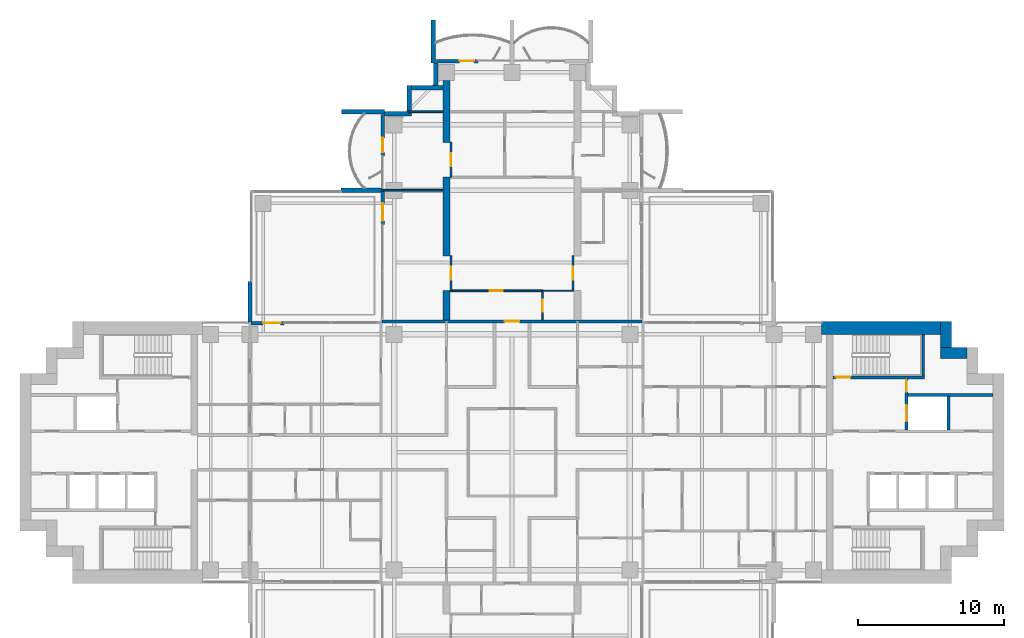
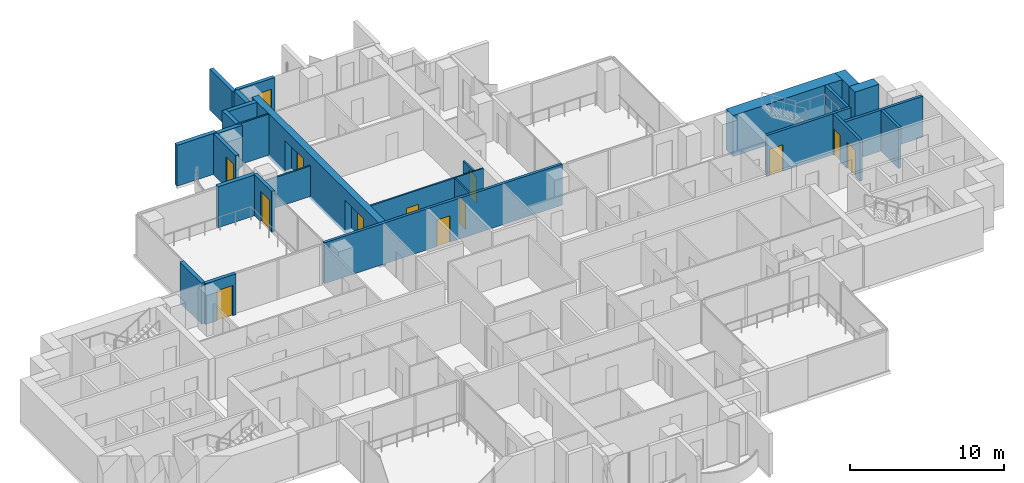
# One storey, part 13 of 19: 30 walls, 13 doors, 13 openings.
"""IFC4 building model written with IfcOpenShell, lengths in metres."""

from ifc_helpers import new_model, si_unit, direction, frame, frame_2d, origin, place, context, subcontext, project, spatial, polyline, rectangle, outline, extrude, material, layer, layer_set, material_profile, profile_set, type_object, element, fill, save


model = new_model("IFC4")

# Units and contexts
model_context = context("Model", 3, precision=1e-05, world=origin(), true_north=direction((0.0, 1.0)))
body_context = subcontext(model_context, "Body", "Model", "MODEL_VIEW")
ifc_project = project(units=[si_unit("LENGTHUNIT", "METRE"), si_unit("AREAUNIT", "SQUARE_METRE"), si_unit("VOLUMEUNIT", "CUBIC_METRE"), si_unit("PLANEANGLEUNIT", "RADIAN"), si_unit("MASSUNIT", "GRAM", prefix="KILO")], contexts=[model_context])

# Site, building, storey
site_placement = place(None, origin())
site = spatial("IfcSite", under=ifc_project, at=site_placement, CompositionType="ELEMENT")
building_placement = place(site_placement, origin())
building = spatial("IfcBuilding", under=site, at=building_placement, Name="Perihelion Cross Residences", CompositionType="ELEMENT")
storey_placement = place(building_placement, frame((0.0, 0.0, 112.89990234375)))
storey = spatial("IfcBuildingStorey", under=building, at=storey_placement, Name="L26", CompositionType="ELEMENT", Elevation=112.89990234375)

# Wall, opening, door
ifc_material_1 = material(Name="Plasterboard partition")
ifc_layer_1 = layer(ifc_material_1, 0.199951171875)
ifc_layer_set_1 = layer_set([ifc_layer_1], Name="Apartment separation wall 200")
wall_type_1 = type_object("IfcWallType", Name="Apartment separation wall 200", PredefinedType="PARTITIONING", material=ifc_layer_set_1)
wall_1_placement = place(storey_placement, frame((-8.919921875, 9.0, 0.0), z_axis=(0.0, 0.0, 1.0), x_axis=(1.0, 0.0, 0.0)))
wall_1 = element("IfcWall", 1, at=wall_1_placement, inside=storey, type_object=wall_type_1, Name="Partition L26 W021", PredefinedType="PARTITIONING", context=body_context, shape_type="SweptSolid", body=[
    extrude(rectangle(XDim=17.83984375, YDim=0.199951171875, at=frame_2d((8.919921875, 0.0))), origin(), (0.0, 0.0, 1.0), 3.25),
])
opening_1_placement = place(wall_1_placement, frame((8.419921875, 0.0, 0.0)))
opening_1 = element("IfcOpeningElement", 2, at=opening_1_placement, cuts=wall_1, Name="Opening L26.A35", PredefinedType="OPENING", context=body_context, shape_type="SweptSolid", body=[
    extrude(rectangle(XDim=1.0, YDim=2.10009765625, at=frame_2d((0.5, 1.050048828125))), frame((0.0, 0.10986328125, 0.0), z_axis=(0.0, -1.0, 0.0), x_axis=(1.0, 0.0, 0.0)), (0.0, 0.0, 1.0), 0.219970703125),
])
ifc_material_2 = material(Name="Timber door leaf", Category="wood")
door_type_1 = type_object("IfcDoorType", Name="Flat entrance door 1000 x 2100", OperationType="SINGLE_SWING_LEFT", PredefinedType="DOOR", material=ifc_material_2)
door_1_placement = place(opening_1_placement, origin())
door_1 = element("IfcDoor", 3, at=door_1_placement, inside=storey, type_object=door_type_1, Name="Door L26.A35", OperationType="SINGLE_SWING_LEFT", OverallHeight=2.10009765625, OverallWidth=1.0, PredefinedType="DOOR", context=body_context, shape_type="SweptSolid", body=[
    extrude(rectangle(XDim=1.0, YDim=2.10009765625, at=frame_2d((0.5, 1.050048828125))), frame((0.0, 0.02490234375, 0.0), z_axis=(0.0, -1.0, 0.0), x_axis=(1.0, 0.0, 0.0)), (0.0, 0.0, 1.0), 0.050048828125),
])
fill(opening_1, door_1)

ifc_material_3 = material(Name="Concrete C30/37, bronze-clad", Category="concrete")
ifc_layer_2 = layer(ifc_material_3, 0.25)
ifc_layer_set_2 = layer_set([ifc_layer_2], Name="Bronze-clad pier wall 250")
wall_type_2 = type_object("IfcWallType", Name="Bronze-clad pier wall 250", PredefinedType="SOLIDWALL", material=ifc_layer_set_2)
wall_2_placement = place(storey_placement, frame((-2.35009765625, 26.875, 0.0), z_axis=(0.0, 0.0, 1.0), x_axis=(-1.0, 0.0, 0.0)))
wall_2 = element("IfcWall", 4, at=wall_2_placement, inside=storey, type_object=wall_type_2, Name="Wall FW1 L26 north tip north bay 2 pier", PredefinedType="SOLIDWALL", context=body_context, shape_type="SweptSolid", body=[
    extrude(rectangle(XDim=2.849853515625, YDim=0.25, at=frame_2d((1.4248046875, 0.0))), origin(), (0.0, 0.0, 1.0), 3.25),
])
opening_2_placement = place(wall_2_placement, frame((0.25, 0.0, 0.0)))
opening_2 = element("IfcOpeningElement", 5, at=opening_2_placement, cuts=wall_2, Name="Opening L26.E05", PredefinedType="OPENING", context=body_context, shape_type="SweptSolid", body=[
    extrude(rectangle(XDim=1.0, YDim=2.39990234375, at=frame_2d((0.5, 1.199951171875))), frame((0.0, 0.135009765625, 0.0), z_axis=(0.0, -1.0, 0.0), x_axis=(1.0, 0.0, 0.0)), (0.0, 0.0, 1.0), 0.27001953125),
])
ifc_material_4 = material(Name="Bronze anodised aluminium, glazed", Category="aluminium")
door_type_2 = type_object("IfcDoorType", Name="Balcony door 1000 x 2400", OperationType="NOTDEFINED", PredefinedType="DOOR", material=ifc_material_4)
door_2_placement = place(opening_2_placement, origin())
door_2 = element("IfcDoor", 6, at=door_2_placement, inside=storey, type_object=door_type_2, Name="Door L26.E05 north tip north bay 2", OperationType="SINGLE_SWING_RIGHT", OverallHeight=2.39990234375, OverallWidth=1.0, PredefinedType="DOOR", context=body_context, shape_type="SweptSolid", body=[
    extrude(rectangle(XDim=1.0, YDim=2.39990234375, at=frame_2d((0.5, 1.199951171875))), frame((0.0, 0.02490234375, 0.0), z_axis=(0.0, -1.0, 0.0), x_axis=(1.0, 0.0, 0.0)), (0.0, 0.0, 1.0), 0.050048828125),
])
fill(opening_2, door_2)

wall_3_placement = place(storey_placement, frame((-8.875, 23.199951171875, 0.0), z_axis=(0.0, 0.0, 1.0), x_axis=(0.0, -1.0, 0.0)))
wall_3 = element("IfcWall", 7, at=wall_3_placement, inside=storey, type_object=wall_type_2, Name="Wall FW1 L26 north side west bay 1 pier", PredefinedType="SOLIDWALL", context=body_context, shape_type="SweptSolid", body=[
    extrude(rectangle(XDim=2.849853515625, YDim=0.25, at=frame_2d((1.4248046875, 0.0))), origin(), (0.0, 0.0, 1.0), 3.25),
])
opening_3_placement = place(wall_3_placement, frame((1.60009765625, 0.0, 0.0)))
opening_3 = element("IfcOpeningElement", 8, at=opening_3_placement, cuts=wall_3, Name="Opening L26.E06", PredefinedType="OPENING", context=body_context, shape_type="SweptSolid", body=[
    extrude(rectangle(XDim=1.0, YDim=2.39990234375, at=frame_2d((0.5, 1.199951171875))), frame((0.0, 0.135009765625, 0.0), z_axis=(0.0, -1.0, 0.0), x_axis=(1.0, 0.0, 0.0)), (0.0, 0.0, 1.0), 0.27001953125),
])
door_3_placement = place(opening_3_placement, origin())
door_3 = element("IfcDoor", 9, at=door_3_placement, inside=storey, type_object=door_type_2, Name="Door L26.E06 north side west bay 1", OperationType="SINGLE_SWING_LEFT", OverallHeight=2.39990234375, OverallWidth=1.0, PredefinedType="DOOR", context=body_context, shape_type="SweptSolid", body=[
    extrude(rectangle(XDim=1.0, YDim=2.39990234375, at=frame_2d((0.5, 1.199951171875))), frame((0.0, 0.02490234375, 0.0), z_axis=(0.0, -1.0, 0.0), x_axis=(1.0, 0.0, 0.0)), (0.0, 0.0, 1.0), 0.050048828125),
])
fill(opening_3, door_3)

wall_4_placement = place(storey_placement, frame((-8.875, 17.93994140625, 0.0), z_axis=(0.0, 0.0, 1.0), x_axis=(0.0, -1.0, 0.0)))
wall_4 = element("IfcWall", 10, at=wall_4_placement, inside=storey, type_object=wall_type_2, Name="Wall FW1 L26 north side west bay 2 pier", PredefinedType="SOLIDWALL", context=body_context, shape_type="SweptSolid", body=[
    extrude(rectangle(XDim=2.2900390625, YDim=0.25, at=frame_2d((1.14501953125, 0.0))), origin(), (0.0, 0.0, 1.0), 3.25),
])
opening_4_placement = place(wall_4_placement, frame((0.840087890625, 0.0, 0.0)))
opening_4 = element("IfcOpeningElement", 11, at=opening_4_placement, cuts=wall_4, Name="Opening L26.E07", PredefinedType="OPENING", context=body_context, shape_type="SweptSolid", body=[
    extrude(rectangle(XDim=1.199951171875, YDim=2.39990234375, at=frame_2d((0.60009765625, 1.199951171875))), frame((0.0, 0.135009765625, 0.0), z_axis=(0.0, -1.0, 0.0), x_axis=(1.0, 0.0, 0.0)), (0.0, 0.0, 1.0), 0.27001953125),
])
ifc_material_5 = material(Name="Bronze anodised aluminium, glazed", Category="aluminium")
door_type_3 = type_object("IfcDoorType", Name="Balcony door 1200 x 2400", OperationType="NOTDEFINED", PredefinedType="DOOR", material=ifc_material_5)
door_4_placement = place(opening_4_placement, origin())
door_4 = element("IfcDoor", 12, at=door_4_placement, inside=storey, type_object=door_type_3, Name="Door L26.E07 north side west bay 2", OperationType="SINGLE_SWING_RIGHT", OverallHeight=2.39990234375, OverallWidth=1.199951171875, PredefinedType="DOOR", context=body_context, shape_type="SweptSolid", body=[
    extrude(rectangle(XDim=1.199951171875, YDim=2.39990234375, at=frame_2d((0.60009765625, 1.199951171875))), frame((0.0, 0.02490234375, 0.0), z_axis=(0.0, -1.0, 0.0), x_axis=(1.0, 0.0, 0.0)), (0.0, 0.0, 1.0), 0.050048828125),
])
fill(opening_4, door_4)

wall_5_placement = place(storey_placement, frame((-15.64990234375, 8.875, 0.0), z_axis=(0.0, 0.0, 1.0), x_axis=(-1.0, 0.0, 0.0)))
wall_5 = element("IfcWall", 13, at=wall_5_placement, inside=storey, type_object=wall_type_2, Name="Wall FW1 L26 west side north bay 1 pier", PredefinedType="SOLIDWALL", context=body_context, shape_type="SweptSolid", body=[
    extrude(rectangle(XDim=2.2900390625, YDim=0.25, at=frame_2d((1.14501953125, 0.0))), origin(), (0.0, 0.0, 1.0), 3.25),
])
opening_5_placement = place(wall_5_placement, frame((0.25, 0.0, 0.0)))
opening_5 = element("IfcOpeningElement", 14, at=opening_5_placement, cuts=wall_5, Name="Opening L26.E08", PredefinedType="OPENING", context=body_context, shape_type="SweptSolid", body=[
    extrude(rectangle(XDim=1.199951171875, YDim=2.39990234375, at=frame_2d((0.60009765625, 1.199951171875))), frame((0.0, 0.135009765625, 0.0), z_axis=(0.0, -1.0, 0.0), x_axis=(1.0, 0.0, 0.0)), (0.0, 0.0, 1.0), 0.27001953125),
])
door_5_placement = place(opening_5_placement, origin())
door_5 = element("IfcDoor", 15, at=door_5_placement, inside=storey, type_object=door_type_3, Name="Door L26.E08 west side north bay 1", OperationType="SINGLE_SWING_LEFT", OverallHeight=2.39990234375, OverallWidth=1.199951171875, PredefinedType="DOOR", context=body_context, shape_type="SweptSolid", body=[
    extrude(rectangle(XDim=1.199951171875, YDim=2.39990234375, at=frame_2d((0.60009765625, 1.199951171875))), frame((0.0, 0.02490234375, 0.0), z_axis=(0.0, -1.0, 0.0), x_axis=(1.0, 0.0, 0.0)), (0.0, 0.0, 1.0), 0.050048828125),
])
fill(opening_5, door_5)

# Walls
ifc_material_6 = material(Name="Concrete C30/37, bronze-clad", Category="concrete")
ifc_layer_3 = layer(ifc_material_6, 0.300048828125)
ifc_layer_set_3 = layer_set([ifc_layer_3], Name="Bronze-clad serration wall 300")
wall_type_3 = type_object("IfcWallType", Name="Bronze-clad serration wall 300", PredefinedType="SOLIDWALL", material=ifc_layer_set_3)
wall_6_placement = place(storey_placement, frame((-5.25, 26.75, 0.0), z_axis=(0.0, 0.0, 1.0), x_axis=(0.0, -1.0, 0.0)))
element("IfcWall", 16, at=wall_6_placement, inside=storey, type_object=wall_type_3, Name="Wall SR1 L26 north corner north-west 1", PredefinedType="SOLIDWALL", context=body_context, shape_type="SweptSolid", body=[
    extrude(rectangle(XDim=1.550048828125, YDim=0.300048828125, at=frame_2d((0.77490234375, 0.0))), origin(), (0.0, 0.0, 1.0), 3.25),
])
wall_7_placement = place(storey_placement, frame((-4.75, 25.050048828125, 0.0), z_axis=(0.0, 0.0, 1.0), x_axis=(-1.0, 0.0, 0.0)))
element("IfcWall", 17, at=wall_7_placement, inside=storey, type_object=wall_type_3, Name="Wall SR1 L26 north corner north-west 2", PredefinedType="SOLIDWALL", context=body_context, shape_type="SweptSolid", body=[
    extrude(rectangle(XDim=2.14990234375, YDim=0.300048828125, at=frame_2d((1.074951171875, 0.0))), origin(), (0.0, 0.0, 1.0), 3.25),
])
wall_8_placement = place(storey_placement, frame((-7.050048828125, 25.199951171875, 0.0), z_axis=(0.0, 0.0, 1.0), x_axis=(0.0, -1.0, 0.0)))
element("IfcWall", 18, at=wall_8_placement, inside=storey, type_object=wall_type_3, Name="Wall SR1 L26 north corner north-west 3", PredefinedType="SOLIDWALL", context=body_context, shape_type="SweptSolid", body=[
    extrude(rectangle(XDim=1.800048828125, YDim=0.300048828125, at=frame_2d((0.89990234375, 0.0))), origin(), (0.0, 0.0, 1.0), 3.25),
])
wall_9_placement = place(storey_placement, frame((-6.89990234375, 23.25, 0.0), z_axis=(0.0, 0.0, 1.0), x_axis=(-1.0, 0.0, 0.0)))
element("IfcWall", 19, at=wall_9_placement, inside=storey, type_object=wall_type_3, Name="Wall SR1 L26 north corner north-west 4", PredefinedType="SOLIDWALL", context=body_context, shape_type="SweptSolid", body=[
    extrude(rectangle(XDim=1.85009765625, YDim=0.300048828125, at=frame_2d((0.925048828125, 0.0))), origin(), (0.0, 0.0, 1.0), 3.25),
])
ifc_material_7 = material(Name="Concrete C60/75", Category="concrete")
ifc_layer_4 = layer(ifc_material_7, 0.75)
ifc_layer_set_4 = layer_set([ifc_layer_4], Name="Core wall, outer 750")
wall_type_4 = type_object("IfcWallType", Name="Core wall, outer 750", PredefinedType="SHEAR", material=ifc_layer_set_4)
for number, where, z_axis, x_axis, name in (
    (20, (29.449951171875, 6.824951171875, 0.0), (0.0, 0.0, 1.0), (1.0, 0.0, 0.0), "East core core wall, outer"),
    (21, (29.824951171875, 7.199951171875, 0.0), (0.0, 0.0, 1.0), (0.0, 1.0, 0.0), "East core core wall, outer"),
):
    element("IfcWall", number, at=place(storey_placement, frame(where, z_axis=z_axis, x_axis=x_axis)), inside=storey, type_object=wall_type_4, Name=name, PredefinedType="SHEAR", context=body_context, shape_type="SweptSolid", body=[
        extrude(rectangle(XDim=1.800048828125, YDim=0.75, at=frame_2d((0.89990234375, 0.0))), origin(), (0.0, 0.0, 1.0), 3.25),
    ])
ifc_material_8 = material(Name="Concrete C60/75", Category="concrete")
ifc_layer_5 = layer(ifc_material_8, 0.89990234375)
ifc_layer_set_5 = layer_set([ifc_layer_5], Name="Core wall, outer 900")
wall_type_5 = type_object("IfcWallType", Name="Core wall, outer 900", PredefinedType="SHEAR", material=ifc_layer_set_5)
wall_10_placement = place(storey_placement, frame((21.25, 8.550048828125, 0.0), z_axis=(0.0, 0.0, 1.0), x_axis=(1.0, 0.0, 0.0)))
element("IfcWall", 22, at=wall_10_placement, inside=storey, type_object=wall_type_5, Name="East core core wall, outer", PredefinedType="SHEAR", context=body_context, shape_type="SweptSolid", body=[
    extrude(rectangle(XDim=8.199951171875, YDim=0.89990234375, at=frame_2d((4.10009765625, 0.0))), origin(), (0.0, 0.0, 1.0), 3.25),
])

# Wall, opening, door
ifc_material_9 = material(Name="Plasterboard partition")
ifc_layer_6 = layer(ifc_material_9, 0.1201171875)
ifc_layer_set_6 = layer_set([ifc_layer_6], Name="Infill panel 120")
wall_type_6 = type_object("IfcWallType", Name="Infill panel 120", PredefinedType="PARTITIONING", material=ifc_layer_set_6)
wall_11_placement = place(storey_placement, frame((4.18994140625, 11.10009765625, 0.0), z_axis=(0.0, 0.0, 1.0), x_axis=(0.0, 1.0, 0.0)))
wall_11 = element("IfcWall", 23, at=wall_11_placement, inside=storey, type_object=wall_type_6, Name="Partition L26 WI01", PredefinedType="PARTITIONING", context=body_context, shape_type="SweptSolid", body=[
    extrude(rectangle(XDim=2.39990234375, YDim=0.1201171875, at=frame_2d((1.199951171875, 0.0))), origin(), (0.0, 0.0, 1.0), 2.400146484375),
])
opening_6_placement = place(wall_11_placement, frame((0.75, 0.0, 0.0)))
opening_6 = element("IfcOpeningElement", 24, at=opening_6_placement, cuts=wall_11, Name="Opening L26.A53", PredefinedType="OPENING", context=body_context, shape_type="SweptSolid", body=[
    extrude(rectangle(XDim=0.89990234375, YDim=2.10009765625, at=frame_2d((0.449951171875, 1.050048828125))), frame((0.0, 0.070068359375, 0.0), z_axis=(0.0, -1.0, 0.0), x_axis=(1.0, 0.0, 0.0)), (0.0, 0.0, 1.0), 0.14013671875),
])
ifc_material_10 = material(Name="Timber door leaf", Category="wood")
door_type_4 = type_object("IfcDoorType", Name="Interior room door 900 x 2100", OperationType="SINGLE_SWING_LEFT", PredefinedType="DOOR", material=ifc_material_10)
door_6_placement = place(opening_6_placement, origin())
door_6 = element("IfcDoor", 25, at=door_6_placement, inside=storey, type_object=door_type_4, Name="Door L26.A53", OperationType="SINGLE_SWING_LEFT", OverallHeight=2.10009765625, OverallWidth=0.89990234375, PredefinedType="DOOR", context=body_context, shape_type="SweptSolid", body=[
    extrude(rectangle(XDim=0.89990234375, YDim=2.10009765625, at=frame_2d((0.449951171875, 1.050048828125))), frame((0.0, 0.02490234375, 0.0), z_axis=(0.0, -1.0, 0.0), x_axis=(1.0, 0.0, 0.0)), (0.0, 0.0, 1.0), 0.050048828125),
])
fill(opening_6, door_6)

wall_12_placement = place(storey_placement, frame((-4.18994140625, 11.10009765625, 0.0), z_axis=(0.0, 0.0, 1.0), x_axis=(0.0, 1.0, 0.0)))
wall_12 = element("IfcWall", 26, at=wall_12_placement, inside=storey, type_object=wall_type_6, Name="Partition L26 WI03", PredefinedType="PARTITIONING", context=body_context, shape_type="SweptSolid", body=[
    extrude(rectangle(XDim=2.39990234375, YDim=0.1201171875, at=frame_2d((1.199951171875, 0.0))), origin(), (0.0, 0.0, 1.0), 2.400146484375),
])
opening_7_placement = place(wall_12_placement, frame((0.75, 0.0, 0.0)))
opening_7 = element("IfcOpeningElement", 27, at=opening_7_placement, cuts=wall_12, Name="Opening L26.A55", PredefinedType="OPENING", context=body_context, shape_type="SweptSolid", body=[
    extrude(rectangle(XDim=0.89990234375, YDim=2.10009765625, at=frame_2d((0.449951171875, 1.050048828125))), frame((0.0, 0.070068359375, 0.0), z_axis=(0.0, -1.0, 0.0), x_axis=(1.0, 0.0, 0.0)), (0.0, 0.0, 1.0), 0.14013671875),
])
door_7_placement = place(opening_7_placement, origin())
door_7 = element("IfcDoor", 28, at=door_7_placement, inside=storey, type_object=door_type_4, Name="Door L26.A55", OperationType="SINGLE_SWING_RIGHT", OverallHeight=2.10009765625, OverallWidth=0.89990234375, PredefinedType="DOOR", context=body_context, shape_type="SweptSolid", body=[
    extrude(rectangle(XDim=0.89990234375, YDim=2.10009765625, at=frame_2d((0.449951171875, 1.050048828125))), frame((0.0, 0.02490234375, 0.0), z_axis=(0.0, -1.0, 0.0), x_axis=(1.0, 0.0, 0.0)), (0.0, 0.0, 1.0), 0.050048828125),
])
fill(opening_7, door_7)

wall_13_placement = place(storey_placement, frame((-4.18994140625, 18.89990234375, 0.0), z_axis=(0.0, 0.0, 1.0), x_axis=(0.0, 1.0, 0.0)))
wall_13 = element("IfcWall", 29, at=wall_13_placement, inside=storey, type_object=wall_type_6, Name="Partition L26 WI04", PredefinedType="PARTITIONING", context=body_context, shape_type="SweptSolid", body=[
    extrude(rectangle(XDim=2.400146484375, YDim=0.1201171875, at=frame_2d((1.2001953125, 0.0))), origin(), (0.0, 0.0, 1.0), 2.400146484375),
])
opening_8_placement = place(wall_13_placement, frame((0.75, 0.0, 0.0)))
opening_8 = element("IfcOpeningElement", 30, at=opening_8_placement, cuts=wall_13, Name="Opening L26.A56", PredefinedType="OPENING", context=body_context, shape_type="SweptSolid", body=[
    extrude(rectangle(XDim=0.89990234375, YDim=2.10009765625, at=frame_2d((0.449951171875, 1.050048828125))), frame((0.0, 0.070068359375, 0.0), z_axis=(0.0, -1.0, 0.0), x_axis=(1.0, 0.0, 0.0)), (0.0, 0.0, 1.0), 0.14013671875),
])
door_8_placement = place(opening_8_placement, origin())
door_8 = element("IfcDoor", 31, at=door_8_placement, inside=storey, type_object=door_type_4, Name="Door L26.A56", OperationType="SINGLE_SWING_LEFT", OverallHeight=2.10009765625, OverallWidth=0.89990234375, PredefinedType="DOOR", context=body_context, shape_type="SweptSolid", body=[
    extrude(rectangle(XDim=0.89990234375, YDim=2.10009765625, at=frame_2d((0.449951171875, 1.050048828125))), frame((0.0, 0.02490234375, 0.0), z_axis=(0.0, -1.0, 0.0), x_axis=(1.0, 0.0, 0.0)), (0.0, 0.0, 1.0), 0.050048828125),
])
fill(opening_8, door_8)

ifc_material_11 = material(Name="Plasterboard partition")
ifc_layer_7 = layer(ifc_material_11, 0.1201171875)
ifc_layer_set_7 = layer_set([ifc_layer_7], Name="Partition wall 120")
wall_type_7 = type_object("IfcWallType", Name="Partition wall 120", PredefinedType="PARTITIONING", material=ifc_layer_set_7)
wall_14_placement = place(storey_placement, frame((-4.25, 11.10009765625, 0.0), z_axis=(0.0, 0.0, 1.0), x_axis=(1.0, 0.0, 0.0)))
wall_14 = element("IfcWall", 32, at=wall_14_placement, inside=storey, type_object=wall_type_7, Name="Partition L26 W067", PredefinedType="PARTITIONING", context=body_context, shape_type="SweptSolid", body=[
    extrude(rectangle(XDim=6.35009765625, YDim=0.1201171875, at=frame_2d((3.175048828125, 0.0))), origin(), (0.0, 0.0, 1.0), 3.25),
])
opening_9_placement = place(wall_14_placement, frame((2.72509765625, 0.0, 0.0)))
opening_9 = element("IfcOpeningElement", 33, at=opening_9_placement, cuts=wall_14, Name="Opening L26.A37", PredefinedType="OPENING", context=body_context, shape_type="SweptSolid", body=[
    extrude(rectangle(XDim=0.89990234375, YDim=2.10009765625, at=frame_2d((0.449951171875, 1.050048828125))), frame((0.0, 0.070068359375, 0.0), z_axis=(0.0, -1.0, 0.0), x_axis=(1.0, 0.0, 0.0)), (0.0, 0.0, 1.0), 0.14013671875),
])
door_9_placement = place(opening_9_placement, origin())
door_9 = element("IfcDoor", 34, at=door_9_placement, inside=storey, type_object=door_type_4, Name="Door L26.A37", OperationType="SINGLE_SWING_RIGHT", OverallHeight=2.10009765625, OverallWidth=0.89990234375, PredefinedType="DOOR", context=body_context, shape_type="SweptSolid", body=[
    extrude(rectangle(XDim=0.89990234375, YDim=2.10009765625, at=frame_2d((0.449951171875, 1.050048828125))), frame((0.0, 0.02490234375, 0.0), z_axis=(0.0, -1.0, 0.0), x_axis=(1.0, 0.0, 0.0)), (0.0, 0.0, 1.0), 0.050048828125),
])
fill(opening_9, door_9)

# Walls
wall_15_placement = place(storey_placement, frame((-8.919921875, 18.0, 0.0), z_axis=(0.0, 0.0, 1.0), x_axis=(1.0, 0.0, 0.0)))
element("IfcWall", 35, at=wall_15_placement, inside=storey, type_object=wall_type_7, Name="Partition L26 W080", PredefinedType="PARTITIONING", context=body_context, shape_type="SweptSolid", body=[
    extrude(rectangle(XDim=4.169921875, YDim=0.1201171875, at=frame_2d((2.0849609375, 0.0))), origin(), (0.0, 0.0, 1.0), 2.4140625),
])
wall_16_placement = place(storey_placement, frame((-7.1201171875, 23.39990234375, 0.0), z_axis=(0.0, 0.0, 1.0), x_axis=(1.0, 0.0, 0.0)))
element("IfcWall", 36, at=wall_16_placement, inside=storey, type_object=wall_type_7, Name="Partition L26 W081", PredefinedType="PARTITIONING", context=body_context, shape_type="SweptSolid", body=[
    extrude(rectangle(XDim=2.3701171875, YDim=0.1201171875, at=frame_2d((1.18505859375, 0.0))), origin(), (0.0, 0.0, 1.0), 3.25),
])
ifc_material_12 = material(Name="Precast concrete C50/60", Category="concrete")
ifc_layer_8 = layer(ifc_material_12, 0.300048828125)
ifc_layer_set_8 = layer_set([ifc_layer_8], Name="Precast concrete C50/60 blade wall 300")
wall_type_8 = type_object("IfcWallType", Name="Precast concrete C50/60 blade wall 300", PredefinedType="SOLIDWALL", material=ifc_layer_set_8)
for number, where, z_axis, x_axis, name in (
    (37, (-18.0, 8.919921875, 0.0), (0.0, 0.0, 1.0), (0.0, 1.0, 0.0), "Wall BL1 L26 no. 2"),
    (38, (-8.919921875, 18.0, 0.0), (0.0, 0.0, 1.0), (-1.0, 0.0, 0.0), "Wall BL1 L26 no. 6"),
):
    element("IfcWall", number, at=place(storey_placement, frame(where, z_axis=z_axis, x_axis=x_axis)), inside=storey, type_object=wall_type_8, Name=name, PredefinedType="SOLIDWALL", context=body_context, shape_type="SweptSolid", body=[
        extrude(rectangle(XDim=2.820068359375, YDim=0.300048828125, at=frame_2d((1.41015625, 0.0))), origin(), (0.0, 0.0, 1.0), 3.25),
    ])
for number, where, z_axis, x_axis, name in (
    (39, (-8.75, 23.39990234375, 0.0), (0.0, 0.0, 1.0), (-1.0, 0.0, 0.0), "Wall BL1 L26 no. 7"),
    (40, (-5.39990234375, 26.75, 0.0), (0.0, 0.0, 1.0), (0.0, 1.0, 0.0), "Wall BL1 L26 no. 4"),
):
    element("IfcWall", number, at=place(storey_placement, frame(where, z_axis=z_axis, x_axis=x_axis)), inside=storey, type_object=wall_type_8, Name=name, PredefinedType="SOLIDWALL", context=body_context, shape_type="SweptSolid", body=[
        extrude(rectangle(XDim=2.949951171875, YDim=0.300048828125, at=frame_2d((1.47509765625, 0.0))), origin(), (0.0, 0.0, 1.0), 3.25),
    ])
ifc_material_13 = material(Name="Concrete C50/60", Category="concrete")
ifc_layer_9 = layer(ifc_material_13, 0.199951171875)
ifc_layer_set_9 = layer_set([ifc_layer_9], Name="Shaft wall 200")
wall_type_9 = type_object("IfcWallType", Name="Shaft wall 200", PredefinedType="SOLIDWALL", material=ifc_layer_set_9)
wall_17_placement = place(storey_placement, frame((27.199951171875, 3.949951171875, 0.0), z_axis=(0.0, 0.0, 1.0), x_axis=(1.0, 0.0, 0.0)))
element("IfcWall", 41, at=wall_17_placement, inside=storey, type_object=wall_type_9, Name="East core shaft wall", PredefinedType="SOLIDWALL", context=body_context, shape_type="SweptSolid", body=[
    extrude(rectangle(XDim=5.85009765625, YDim=0.199951171875, at=frame_2d((2.925048828125, 0.0))), origin(), (0.0, 0.0, 1.0), 3.25),
])

# Wall, openings, doors
wall_18_placement = place(storey_placement, frame((27.10009765625, 1.550048828125, 0.0), z_axis=(0.0, 0.0, 1.0), x_axis=(0.0, 1.0, 0.0)))
wall_18 = element("IfcWall", 42, at=wall_18_placement, inside=storey, type_object=wall_type_9, Name="East core shaft wall", PredefinedType="SOLIDWALL", context=body_context, shape_type="SweptSolid", body=[
    extrude(rectangle(XDim=3.5, YDim=0.199951171875, at=frame_2d((1.75, 0.0))), origin(), (0.0, 0.0, 1.0), 3.25),
])
opening_10_placement = place(wall_18_placement, frame((0.60009765625, 0.0, 0.0)))
opening_10 = element("IfcOpeningElement", 43, at=opening_10_placement, cuts=wall_18, Name="Opening L26.C02", PredefinedType="OPENING", context=body_context, shape_type="SweptSolid", body=[
    extrude(rectangle(XDim=1.10009765625, YDim=2.10009765625, at=frame_2d((0.550048828125, 1.050048828125))), frame((0.0, 0.10986328125, 0.0), z_axis=(0.0, -1.0, 0.0), x_axis=(1.0, 0.0, 0.0)), (0.0, 0.0, 1.0), 0.219970703125),
])
opening_11_placement = place(wall_18_placement, frame((2.60009765625, 0.0, 0.0)))
opening_11 = element("IfcOpeningElement", 44, at=opening_11_placement, cuts=wall_18, Name="Opening L26.C10", PredefinedType="OPENING", context=body_context, shape_type="SweptSolid", body=[
    extrude(rectangle(XDim=0.800048828125, YDim=2.10009765625, at=frame_2d((0.39990234375, 1.050048828125))), frame((0.0, 0.10986328125, 0.0), z_axis=(0.0, -1.0, 0.0), x_axis=(1.0, 0.0, 0.0)), (0.0, 0.0, 1.0), 0.219970703125),
])
ifc_material_14 = material(Name="Stainless steel", Category="steel")
door_type_5 = type_object("IfcDoorType", Name="Landing door, firefighting lift 1100", OperationType="DOUBLE_DOOR_SLIDING", PredefinedType="DOOR", material=ifc_material_14)
door_10_placement = place(opening_10_placement, origin())
door_10 = element("IfcDoor", 45, at=door_10_placement, inside=storey, type_object=door_type_5, Name="Landing door, East core firefighting and service lift", OperationType="DOUBLE_DOOR_SLIDING", OverallHeight=2.10009765625, OverallWidth=1.10009765625, PredefinedType="DOOR", context=body_context, shape_type="SweptSolid", body=[
    extrude(rectangle(XDim=1.10009765625, YDim=2.10009765625, at=frame_2d((0.550048828125, 1.050048828125))), frame((0.0, 0.02490234375, 0.0), z_axis=(0.0, -1.0, 0.0), x_axis=(1.0, 0.0, 0.0)), (0.0, 0.0, 1.0), 0.050048828125),
])
fill(opening_10, door_10)
ifc_material_15 = material(Name="Steel, powder coated", Category="steel")
door_type_6 = type_object("IfcDoorType", Name="Riser door 800", OperationType="SINGLE_SWING_LEFT", PredefinedType="DOOR", material=ifc_material_15)
door_11_placement = place(opening_11_placement, origin())
door_11 = element("IfcDoor", 46, at=door_11_placement, inside=storey, type_object=door_type_6, Name="East core riser door", OperationType="SINGLE_SWING_LEFT", OverallHeight=2.10009765625, OverallWidth=0.800048828125, PredefinedType="DOOR", context=body_context, shape_type="SweptSolid", body=[
    extrude(rectangle(XDim=0.800048828125, YDim=2.10009765625, at=frame_2d((0.39990234375, 1.050048828125))), frame((0.0, 0.02490234375, 0.0), z_axis=(0.0, -1.0, 0.0), x_axis=(1.0, 0.0, 0.0)), (0.0, 0.0, 1.0), 0.050048828125),
])
fill(opening_11, door_11)

# Wall
wall_19_placement = place(storey_placement, frame((30.0, 1.550048828125, 0.0), z_axis=(0.0, 0.0, 1.0), x_axis=(0.0, 1.0, 0.0)))
element("IfcWall", 47, at=wall_19_placement, inside=storey, type_object=wall_type_9, Name="East core shaft wall", PredefinedType="SOLIDWALL", context=body_context, shape_type="SweptSolid", body=[
    extrude(rectangle(XDim=2.300048828125, YDim=0.199951171875, at=frame_2d((1.14990234375, 0.0))), origin(), (0.0, 0.0, 1.0), 3.25),
])

# Wall, opening, door
ifc_material_16 = material(Name="Concrete C50/60", Category="concrete")
ifc_layer_10 = layer(ifc_material_16, 0.199951171875)
ifc_layer_set_10 = layer_set([ifc_layer_10], Name="Stair wall 200")
wall_type_10 = type_object("IfcWallType", Name="Stair wall 200", PredefinedType="SOLIDWALL", material=ifc_layer_set_10)
wall_20_placement = place(storey_placement, frame((22.050048828125, 5.14990234375, 0.0), z_axis=(0.0, 0.0, 1.0), x_axis=(1.0, 0.0, 0.0)))
wall_20 = element("IfcWall", 48, at=wall_20_placement, inside=storey, type_object=wall_type_10, Name="East core stair wall", PredefinedType="SOLIDWALL", context=body_context, shape_type="SweptSolid", body=[
    extrude(rectangle(XDim=6.300048828125, YDim=0.199951171875, at=frame_2d((3.14990234375, 0.0))), origin(), (0.0, 0.0, 1.0), 3.25),
])
opening_12_placement = place(wall_20_placement, frame((0.199951171875, 0.0, 0.0)))
opening_12 = element("IfcOpeningElement", 49, at=opening_12_placement, cuts=wall_20, Name="Opening L26.C06", PredefinedType="OPENING", context=body_context, shape_type="SweptSolid", body=[
    extrude(rectangle(XDim=1.0, YDim=2.10009765625, at=frame_2d((0.5, 1.050048828125))), frame((0.0, 0.10986328125, 0.0), z_axis=(0.0, -1.0, 0.0), x_axis=(1.0, 0.0, 0.0)), (0.0, 0.0, 1.0), 0.219970703125),
])
ifc_material_17 = material(Name="Steel, powder coated", Category="steel")
door_type_7 = type_object("IfcDoorType", Name="Stair door 1000", OperationType="SINGLE_SWING_LEFT", PredefinedType="DOOR", material=ifc_material_17)
door_12_placement = place(opening_12_placement, origin())
door_12 = element("IfcDoor", 50, at=door_12_placement, inside=storey, type_object=door_type_7, Name="East core stair door", OperationType="SINGLE_SWING_LEFT", OverallHeight=2.10009765625, OverallWidth=1.0, PredefinedType="DOOR", context=body_context, shape_type="SweptSolid", body=[
    extrude(rectangle(XDim=1.0, YDim=2.10009765625, at=frame_2d((0.5, 1.050048828125))), frame((0.0, 0.02490234375, 0.0), z_axis=(0.0, -1.0, 0.0), x_axis=(1.0, 0.0, 0.0)), (0.0, 0.0, 1.0), 0.050048828125),
])
fill(opening_12, door_12)

# Walls
wall_21_placement = place(storey_placement, frame((28.25, 5.25, 0.0), z_axis=(0.0, 0.0, 1.0), x_axis=(0.0, 1.0, 0.0)))
element("IfcWall", 51, at=wall_21_placement, inside=storey, type_object=wall_type_10, Name="East core stair wall", PredefinedType="SOLIDWALL", context=body_context, shape_type="SweptSolid", body=[
    extrude(rectangle(XDim=2.85009765625, YDim=0.199951171875, at=frame_2d((1.425048828125, 0.0))), origin(), (0.0, 0.0, 1.0), 3.25),
])
ifc_material_18 = material(Name="Concrete C60/75", Category="concrete")
ifc_material_profile = material_profile(ifc_material_18, outline(polyline([(0.0, 0.0), (2.10009765625, 0.0), (2.10009765625, 2.64990234375), (4.5, 2.64990234375), (4.5, 0.0), (9.89990234375, 0.0), (9.89990234375, 2.64990234375), (12.300048828125, 2.64990234375), (12.300048828125, 0.0), (16.550048828125, 0.0), (16.550048828125, 3.5), (0.0, 3.5), (0.0, 0.0)])), Name="Tip spine wall")
ifc_profile_set = profile_set([ifc_material_profile], Name="Concrete C60/75")
wall_type_11 = type_object("IfcWallType", Name="Tip spine wall 500 with 2 door openings 16550 long 3500 high concrete C60/75", PredefinedType="SHEAR", material=ifc_profile_set)
wall_22_placement = place(storey_placement, frame((-4.75, 9.0, -0.25), z_axis=(1.0, 0.0, 0.0), x_axis=(0.0, 1.0, 0.0)))
element("IfcWall", 52, at=wall_22_placement, inside=storey, type_object=wall_type_11, Name="Shear wall SW34 L26 north west", PredefinedType="SHEAR", context=body_context, shape_type="SweptSolid", body=[
    extrude(outline(polyline([(0.0, 0.0), (2.10009765625, 0.0), (2.10009765625, 2.64990234375), (4.5, 2.64990234375), (4.5, 0.0), (9.89990234375, 0.0), (9.89990234375, 2.64990234375), (12.300048828125, 2.64990234375), (12.300048828125, 0.0), (16.550048828125, 0.0), (16.550048828125, 3.5), (0.0, 3.5), (0.0, 0.0)])), origin(), (0.0, 0.0, 1.0), 0.5),
])

# Wall, opening, door
ifc_material_19 = material(Name="Plasterboard partition")
ifc_layer_11 = layer(ifc_material_19, 0.10009765625)
ifc_layer_set_11 = layer_set([ifc_layer_11], Name="Wet room wall 100")
wall_type_12 = type_object("IfcWallType", Name="Wet room wall 100", PredefinedType="PARTITIONING", material=ifc_layer_set_11)
wall_23_placement = place(storey_placement, frame((2.10009765625, 11.0400390625, 0.0), z_axis=(0.0, 0.0, 1.0), x_axis=(0.0, -1.0, 0.0)))
wall_23 = element("IfcWall", 53, at=wall_23_placement, inside=storey, type_object=wall_type_12, Name="Partition L26 W066", PredefinedType="PARTITIONING", context=body_context, shape_type="SweptSolid", body=[
    extrude(rectangle(XDim=1.93994140625, YDim=0.10009765625, at=frame_2d((0.969970703125, 0.0))), origin(), (0.0, 0.0, 1.0), 3.25),
])
opening_13_placement = place(wall_23_placement, frame((0.544921875, 0.0, 0.0)))
opening_13 = element("IfcOpeningElement", 54, at=opening_13_placement, cuts=wall_23, Name="Opening L26.A36", PredefinedType="OPENING", context=body_context, shape_type="SweptSolid", body=[
    extrude(rectangle(XDim=0.85009765625, YDim=2.10009765625, at=frame_2d((0.425048828125, 1.050048828125))), frame((0.0, 0.06005859375, 0.0), z_axis=(0.0, -1.0, 0.0), x_axis=(1.0, 0.0, 0.0)), (0.0, 0.0, 1.0), 0.1201171875),
])
ifc_material_20 = material(Name="Timber door leaf", Category="wood")
door_type_8 = type_object("IfcDoorType", Name="Interior bathroom door 850 x 2100", OperationType="SINGLE_SWING_LEFT", PredefinedType="DOOR", material=ifc_material_20)
door_13_placement = place(opening_13_placement, origin())
door_13 = element("IfcDoor", 55, at=door_13_placement, inside=storey, type_object=door_type_8, Name="Door L26.A36", OperationType="SINGLE_SWING_RIGHT", OverallHeight=2.10009765625, OverallWidth=0.85009765625, PredefinedType="DOOR", context=body_context, shape_type="SweptSolid", body=[
    extrude(rectangle(XDim=0.85009765625, YDim=2.10009765625, at=frame_2d((0.425048828125, 1.050048828125))), frame((0.0, 0.02490234375, 0.0), z_axis=(0.0, -1.0, 0.0), x_axis=(1.0, 0.0, 0.0)), (0.0, 0.0, 1.0), 0.050048828125),
])
fill(opening_13, door_13)

# Wall
wall_24_placement = place(storey_placement, frame((2.10009765625, 11.10009765625, 0.0), z_axis=(0.0, 0.0, 1.0), x_axis=(1.0, 0.0, 0.0)))
element("IfcWall", 56, at=wall_24_placement, inside=storey, type_object=wall_type_12, Name="Partition L26 W068", PredefinedType="PARTITIONING", context=body_context, shape_type="SweptSolid", body=[
    extrude(rectangle(XDim=2.14990234375, YDim=0.10009765625, at=frame_2d((1.074951171875, 0.0))), origin(), (0.0, 0.0, 1.0), 3.25),
])

save(model, "model.ifc")
